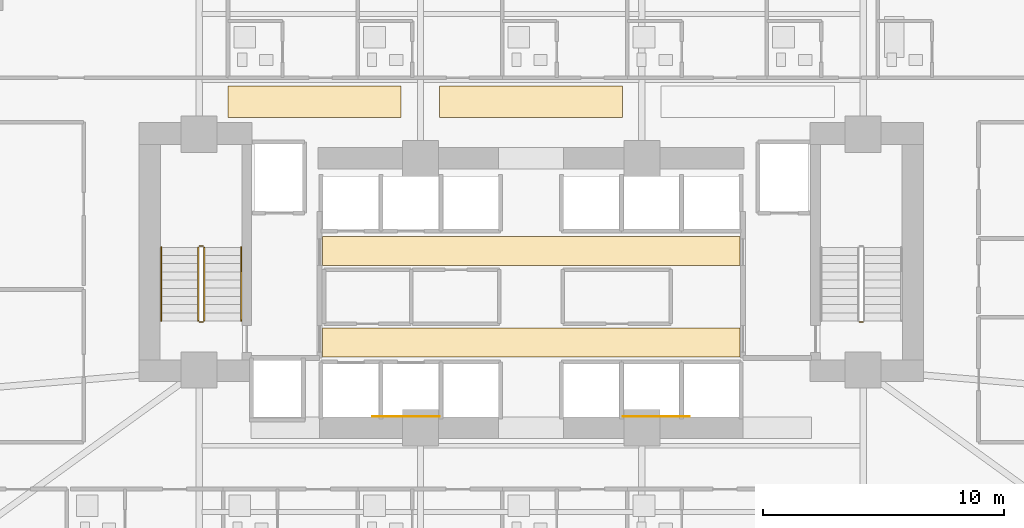
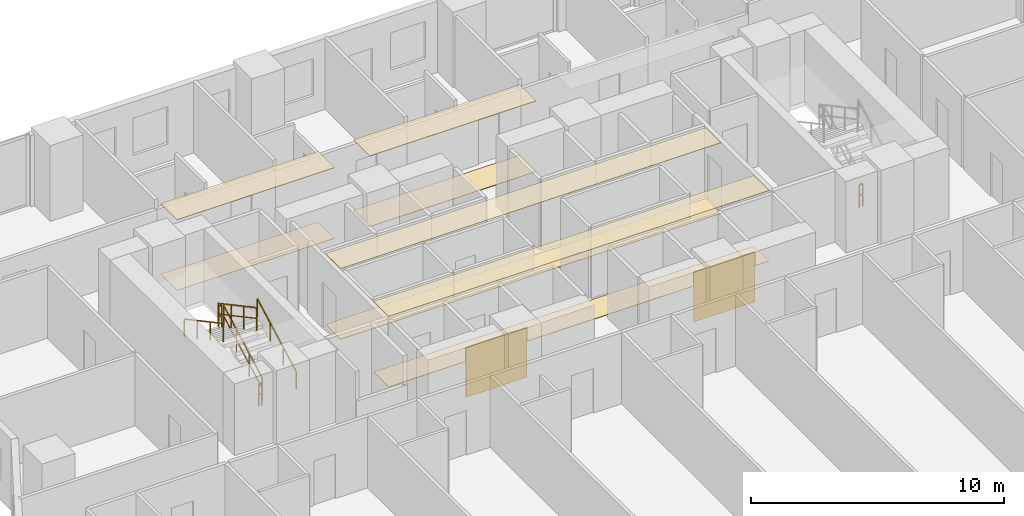
# One storey, part 25 of 28: 10 coverings, 7 railings.
"""IFC4 building model written with IfcOpenShell, lengths in metres."""

from ifc_helpers import new_model, si_unit, direction, frame, origin, origin_2d, place, context, subcontext, project, spatial, polyline, rectangle, outline, extrude, material, layer, layer_set, type_object, element, save


model = new_model("IFC4")

# Units and contexts
model_context = context("Model", 3, precision=1e-05, world=origin(), true_north=direction((0.0, 1.0)))
body_context = subcontext(model_context, "Body", "Model", "MODEL_VIEW")
ifc_project = project(units=[si_unit("LENGTHUNIT", "METRE"), si_unit("AREAUNIT", "SQUARE_METRE"), si_unit("VOLUMEUNIT", "CUBIC_METRE"), si_unit("PLANEANGLEUNIT", "RADIAN"), si_unit("MASSUNIT", "GRAM", prefix="KILO")], contexts=[model_context])

# Site, building, storey
site_placement = place(None, origin())
site = spatial("IfcSite", under=ifc_project, at=site_placement, CompositionType="ELEMENT")
building_placement = place(site_placement, origin())
building = spatial("IfcBuilding", under=site, at=building_placement, Name="Zuhayl Quay Hotel", CompositionType="ELEMENT")
storey_placement = place(building_placement, frame((0.0, 0.0, 34.89990234375)))
storey = spatial("IfcBuildingStorey", under=building, at=storey_placement, Name="L07", CompositionType="ELEMENT", Elevation=34.89990234375)

# Coverings
ifc_material_1 = material(Name="Acoustic Mineral-Fibre Gypsum Board")
ifc_layer_1 = layer(ifc_material_1, 0.02490234375, Name="Acoustic Mineral-Fibre Gypsum Board")
ifc_layer_set_1 = layer_set([ifc_layer_1], Name="Acoustic Mineral-Fibre Gypsum Board")
covering_type_1 = type_object("IfcCoveringType", Name="CV_CEIL_ACOUSTIC", PredefinedType="CEILING", material=ifc_layer_set_1)
covering_1_placement = place(storey_placement, frame((0.0, 0.0, 3.405029296875)))
element("IfcCovering", 1, at=covering_1_placement, inside=storey, type_object=covering_type_1, Name="L07 Suspended Acoustic Lobby Ceiling S", PredefinedType="CEILING", context=body_context, shape_type="SweptSolid", body=[
    extrude(outline(polyline([(-8.679931640625, 5.10009765625), (8.679931640625, 5.10009765625), (8.679931640625, 6.300048828125), (-8.679931640625, 6.300048828125), (-8.679931640625, 5.10009765625)])), origin(), (0.0, 0.0, 1.0), 0.025146484375),
])
covering_2_placement = place(storey_placement, frame((0.0, 0.0, 3.405029296875)))
element("IfcCovering", 2, at=covering_2_placement, inside=storey, type_object=covering_type_1, Name="L07 Suspended Acoustic Lobby Ceiling N", PredefinedType="CEILING", context=body_context, shape_type="SweptSolid", body=[
    extrude(outline(polyline([(-8.679931640625, 8.89990234375), (8.679931640625, 8.89990234375), (8.679931640625, 10.10009765625), (-8.679931640625, 10.10009765625), (-8.679931640625, 8.89990234375)])), origin(), (0.0, 0.0, 1.0), 0.025146484375),
])
covering_3_placement = place(storey_placement, frame((0.0, 0.0, 3.405029296875)))
element("IfcCovering", 3, at=covering_3_placement, inside=storey, type_object=covering_type_1, Name="L07 Guest Corridor Acoustic Ceiling CW", PredefinedType="CEILING", context=body_context, shape_type="SweptSolid", body=[
    extrude(outline(polyline([(-12.60009765625, 15.050048828125), (-5.39990234375, 15.050048828125), (-5.39990234375, 16.35009765625), (-12.60009765625, 16.35009765625), (-12.60009765625, 15.050048828125)])), origin(), (0.0, 0.0, 1.0), 0.025146484375),
])
covering_4_placement = place(storey_placement, frame((0.0, 0.0, 3.405029296875)))
element("IfcCovering", 4, at=covering_4_placement, inside=storey, type_object=covering_type_1, Name="L07 Guest Corridor Acoustic Ceiling CC", PredefinedType="CEILING", context=body_context, shape_type="SweptSolid", body=[
    extrude(outline(polyline([(-3.800048828125, 15.050048828125), (3.800048828125, 15.050048828125), (3.800048828125, 16.35009765625), (-3.800048828125, 16.35009765625), (-3.800048828125, 15.050048828125)])), origin(), (0.0, 0.0, 1.0), 0.025146484375),
])
ifc_material_2 = material(Name="Polished Limestone Terrazzo", Category="masonry")
ifc_layer_2 = layer(ifc_material_2, 0.02001953125, Name="Polished Limestone Terrazzo", Category="masonry")
ifc_layer_set_2 = layer_set([ifc_layer_2], Name="Polished Limestone Terrazzo")
covering_type_2 = type_object("IfcCoveringType", Name="CV_FLOOR_TERRAZZO", PredefinedType="FLOORING", material=ifc_layer_set_2)
covering_5_placement = place(storey_placement, origin())
element("IfcCovering", 5, at=covering_5_placement, inside=storey, type_object=covering_type_2, Name="L07 Honed Limestone Terrazzo Lobby Flooring S", PredefinedType="FLOORING", context=body_context, shape_type="SweptSolid", body=[
    extrude(outline(polyline([(-8.679931640625, 5.10009765625), (8.679931640625, 5.10009765625), (8.679931640625, 6.300048828125), (-8.679931640625, 6.300048828125), (-8.679931640625, 5.10009765625)])), origin(), (0.0, 0.0, 1.0), 0.02001953125),
])
covering_6_placement = place(storey_placement, origin())
element("IfcCovering", 6, at=covering_6_placement, inside=storey, type_object=covering_type_2, Name="L07 Honed Limestone Terrazzo Lobby Flooring N", PredefinedType="FLOORING", context=body_context, shape_type="SweptSolid", body=[
    extrude(outline(polyline([(-8.679931640625, 8.89990234375), (8.679931640625, 8.89990234375), (8.679931640625, 10.10009765625), (-8.679931640625, 10.10009765625), (-8.679931640625, 8.89990234375)])), origin(), (0.0, 0.0, 1.0), 0.02001953125),
])
covering_7_placement = place(storey_placement, origin())
element("IfcCovering", 7, at=covering_7_placement, inside=storey, type_object=covering_type_2, Name="L07 Guest Corridor Terrazzo Runner CW", PredefinedType="FLOORING", context=body_context, shape_type="SweptSolid", body=[
    extrude(outline(polyline([(-12.60009765625, 15.050048828125), (-5.39990234375, 15.050048828125), (-5.39990234375, 16.35009765625), (-12.60009765625, 16.35009765625), (-12.60009765625, 15.050048828125)])), origin(), (0.0, 0.0, 1.0), 0.02001953125),
])
covering_8_placement = place(storey_placement, origin())
element("IfcCovering", 8, at=covering_8_placement, inside=storey, type_object=covering_type_2, Name="L07 Guest Corridor Terrazzo Runner CC", PredefinedType="FLOORING", context=body_context, shape_type="SweptSolid", body=[
    extrude(outline(polyline([(-3.800048828125, 15.050048828125), (3.800048828125, 15.050048828125), (3.800048828125, 16.35009765625), (-3.800048828125, 16.35009765625), (-3.800048828125, 15.050048828125)])), origin(), (0.0, 0.0, 1.0), 0.02001953125),
])
ifc_material_3 = material(Name="Acoustic Walnut Feature Timber", Category="wood")
ifc_layer_3 = layer(ifc_material_3, 0.02197265625, Name="Acoustic Walnut Feature Timber", Category="wood")
ifc_layer_set_3 = layer_set([ifc_layer_3], Name="Acoustic Walnut Feature Timber")
covering_type_3 = type_object("IfcCoveringType", Name="CV_WALL_CLAD", PredefinedType="CLADDING", material=ifc_layer_set_3)
for number, where, z_axis, x_axis, name in (
    (9, (-5.199951171875, 2.611083984375, 0.300048828125), (0.0, 0.0, 1.0), (1.0, 0.0, 0.0), "L07 Feature Lobby Walnut Wall Cladding W"),
    (10, (5.199951171875, 2.611083984375, 0.300048828125), (0.0, 0.0, 1.0), (1.0, 0.0, 0.0), "L07 Feature Lobby Walnut Wall Cladding E"),
):
    element("IfcCovering", number, at=place(storey_placement, frame(where, z_axis=z_axis, x_axis=x_axis)), inside=storey, type_object=covering_type_3, Name=name, PredefinedType="CLADDING", context=body_context, shape_type="SweptSolid", body=[
        extrude(rectangle(XDim=2.800048828125, YDim=0.02197265625, at=origin_2d()), origin(), (0.0, 0.0, 1.0), 2.39990234375),
    ])

# Railings
ifc_material_4 = material(Name="Steel ASTM A992 Grade 50", Category="steel")
railing_type_1 = type_object("IfcRailingType", Name="RL_GUARD_1100", PredefinedType="GUARDRAIL", material=ifc_material_4)
railing_1_placement = place(storey_placement, frame((-13.590087890625, 6.590087890625, 0.1826171875)))
element("IfcRailing", 11, at=railing_1_placement, inside=storey, type_object=railing_type_1, Name="L07 ST1 stair guard 1", PredefinedType="GUARDRAIL", context=body_context, shape_type="SweptSolid", body=[
    extrude(rectangle(XDim=0.048095703125, YDim=0.048095703125, at=origin_2d()), frame((0.0, 0.0, 1.09619140625), z_axis=(0.0, 0.88107310026, 0.472980117973), x_axis=(-1.0, 0.0, 0.0)), (0.0, 0.0, 1.0), 3.472900390625),
    extrude(rectangle(XDim=0.0361328125, YDim=0.0361328125, at=origin_2d()), frame((0.0, 0.0, 0.58251953125), z_axis=(0.0, 0.88107310026, 0.472980117973), x_axis=(-1.0, 0.0, 0.0)), (0.0, 0.0, 1.0), 3.472900390625),
    extrude(rectangle(XDim=0.0419921875, YDim=0.0419921875, at=origin_2d()), origin(), (0.0, 0.0, 1.0), 1.072021484375),
    extrude(rectangle(XDim=0.0419921875, YDim=0.0419921875, at=origin_2d()), frame((0.0, 1.02001953125, 0.547607421875)), (0.0, 0.0, 1.0), 1.072021484375),
    extrude(rectangle(XDim=0.0419921875, YDim=0.0419921875, at=origin_2d()), frame((0.0, 2.039794921875, 1.094970703125)), (0.0, 0.0, 1.0), 1.072021484375),
    extrude(rectangle(XDim=0.0419921875, YDim=0.0419921875, at=origin_2d()), frame((0.0, 3.059814453125, 1.642578125)), (0.0, 0.0, 1.0), 1.072021484375),
])
railing_2_placement = place(storey_placement, frame((-13.639892578125, 9.699951171875, 1.8251953125)))
element("IfcRailing", 12, at=railing_2_placement, inside=storey, type_object=railing_type_1, Name="L07 ST1 stair guard 2", PredefinedType="GUARDRAIL", context=body_context, shape_type="SweptSolid", body=[
    extrude(rectangle(XDim=0.048095703125, YDim=0.048095703125, at=origin_2d()), frame((0.0, 0.0, 1.09619140625), z_axis=(-1.0, 0.0, 0.0), x_axis=(0.0, -1.0, 0.0)), (0.0, 0.0, 1.0), 0.150146484375),
    extrude(rectangle(XDim=0.0361328125, YDim=0.0361328125, at=origin_2d()), frame((0.0, 0.0, 0.58251953125), z_axis=(-1.0, 0.0, 0.0), x_axis=(0.0, -1.0, 0.0)), (0.0, 0.0, 1.0), 0.150146484375),
    extrude(rectangle(XDim=0.0419921875, YDim=0.0419921875, at=origin_2d()), origin(), (0.0, 0.0, 1.0), 1.072021484375),
    extrude(rectangle(XDim=0.0419921875, YDim=0.0419921875, at=origin_2d()), frame((-0.150146484375, 0.0, 0.0)), (0.0, 0.0, 1.0), 1.072021484375),
])
railing_3_placement = place(storey_placement, frame((-13.840087890625, 9.64990234375, 2.007568359375)))
element("IfcRailing", 13, at=railing_3_placement, inside=storey, type_object=railing_type_1, Name="L07 ST1 stair guard 3", PredefinedType="GUARDRAIL", context=body_context, shape_type="SweptSolid", body=[
    extrude(rectangle(XDim=0.048095703125, YDim=0.048095703125, at=origin_2d()), frame((0.0, 0.0, 1.09619140625), z_axis=(0.0, -0.88107310026, 0.472980117973), x_axis=(1.0, 0.0, 0.0)), (0.0, 0.0, 1.0), 3.472900390625),
    extrude(rectangle(XDim=0.0361328125, YDim=0.0361328125, at=origin_2d()), frame((0.0, 0.0, 0.58251953125), z_axis=(0.0, -0.88107310026, 0.472980117973), x_axis=(1.0, 0.0, 0.0)), (0.0, 0.0, 1.0), 3.472900390625),
    extrude(rectangle(XDim=0.0419921875, YDim=0.0419921875, at=origin_2d()), origin(), (0.0, 0.0, 1.0), 1.072021484375),
    extrude(rectangle(XDim=0.0419921875, YDim=0.0419921875, at=origin_2d()), frame((0.0, -1.02001953125, 0.547607421875)), (0.0, 0.0, 1.0), 1.072021484375),
    extrude(rectangle(XDim=0.0419921875, YDim=0.0419921875, at=origin_2d()), frame((0.0, -2.039794921875, 1.094970703125)), (0.0, 0.0, 1.0), 1.072021484375),
    extrude(rectangle(XDim=0.0419921875, YDim=0.0419921875, at=origin_2d()), frame((0.0, -3.059814453125, 1.642578125)), (0.0, 0.0, 1.0), 1.072021484375),
])
for number, where, name in (
    (14, (-13.639892578125, 6.5400390625, 0.0), "L07 ST1 stair guard 4"),
    (15, (13.7900390625, 6.5400390625, 0.0), "L07 ST2 stair guard 4"),
):
    element("IfcRailing", number, at=place(storey_placement, frame(where)), inside=storey, type_object=railing_type_1, Name=name, PredefinedType="GUARDRAIL", context=body_context, shape_type="SweptSolid", body=[
        extrude(rectangle(XDim=0.048095703125, YDim=0.048095703125, at=origin_2d()), frame((0.0, 0.0, 1.09619140625), z_axis=(-1.0, 0.0, 0.0), x_axis=(0.0, -1.0, 0.0)), (0.0, 0.0, 1.0), 0.150146484375),
        extrude(rectangle(XDim=0.0361328125, YDim=0.0361328125, at=origin_2d()), frame((0.0, 0.0, 0.58251953125), z_axis=(-1.0, 0.0, 0.0), x_axis=(0.0, -1.0, 0.0)), (0.0, 0.0, 1.0), 0.150146484375),
        extrude(rectangle(XDim=0.0419921875, YDim=0.0419921875, at=origin_2d()), origin(), (0.0, 0.0, 1.0), 1.072021484375),
        extrude(rectangle(XDim=0.0419921875, YDim=0.0419921875, at=origin_2d()), frame((-0.150146484375, 0.0, 0.0)), (0.0, 0.0, 1.0), 1.072021484375),
    ])
railing_type_2 = type_object("IfcRailingType", Name="RL_HANDRAIL_920", PredefinedType="HANDRAIL", material=ifc_material_4)
railing_4_placement = place(storey_placement, frame((-12.050048828125, 6.590087890625, 0.1826171875)))
element("IfcRailing", 16, at=railing_4_placement, inside=storey, type_object=railing_type_2, Name="L07 ST1 stair handrail 1", PredefinedType="HANDRAIL", context=body_context, shape_type="SweptSolid", body=[
    extrude(rectangle(XDim=0.048095703125, YDim=0.048095703125, at=origin_2d()), frame((0.0, 0.0, 0.8759765625), z_axis=(0.0, 0.88107310026, 0.472980117973), x_axis=(-1.0, 0.0, 0.0)), (0.0, 0.0, 1.0), 3.472900390625),
    extrude(rectangle(XDim=0.0419921875, YDim=0.0419921875, at=origin_2d()), origin(), (0.0, 0.0, 1.0), 0.851806640625),
    extrude(rectangle(XDim=0.0419921875, YDim=0.0419921875, at=origin_2d()), frame((0.0, 1.02001953125, 0.547607421875)), (0.0, 0.0, 1.0), 0.851806640625),
    extrude(rectangle(XDim=0.0419921875, YDim=0.0419921875, at=origin_2d()), frame((0.0, 2.039794921875, 1.094970703125)), (0.0, 0.0, 1.0), 0.851806640625),
    extrude(rectangle(XDim=0.0419921875, YDim=0.0419921875, at=origin_2d()), frame((0.0, 3.059814453125, 1.642578125)), (0.0, 0.0, 1.0), 0.851806640625),
])
railing_5_placement = place(storey_placement, frame((-15.3798828125, 9.64990234375, 2.007568359375)))
element("IfcRailing", 17, at=railing_5_placement, inside=storey, type_object=railing_type_2, Name="L07 ST1 stair handrail 2", PredefinedType="HANDRAIL", context=body_context, shape_type="SweptSolid", body=[
    extrude(rectangle(XDim=0.048095703125, YDim=0.048095703125, at=origin_2d()), frame((0.0, 0.0, 0.8759765625), z_axis=(0.0, -0.88107310026, 0.472980117973), x_axis=(1.0, 0.0, 0.0)), (0.0, 0.0, 1.0), 3.472900390625),
    extrude(rectangle(XDim=0.0419921875, YDim=0.0419921875, at=origin_2d()), origin(), (0.0, 0.0, 1.0), 0.851806640625),
    extrude(rectangle(XDim=0.0419921875, YDim=0.0419921875, at=origin_2d()), frame((0.0, -1.02001953125, 0.547607421875)), (0.0, 0.0, 1.0), 0.851806640625),
    extrude(rectangle(XDim=0.0419921875, YDim=0.0419921875, at=origin_2d()), frame((0.0, -2.039794921875, 1.094970703125)), (0.0, 0.0, 1.0), 0.851806640625),
    extrude(rectangle(XDim=0.0419921875, YDim=0.0419921875, at=origin_2d()), frame((0.0, -3.059814453125, 1.642578125)), (0.0, 0.0, 1.0), 0.851806640625),
])

save(model, "model.ifc")
